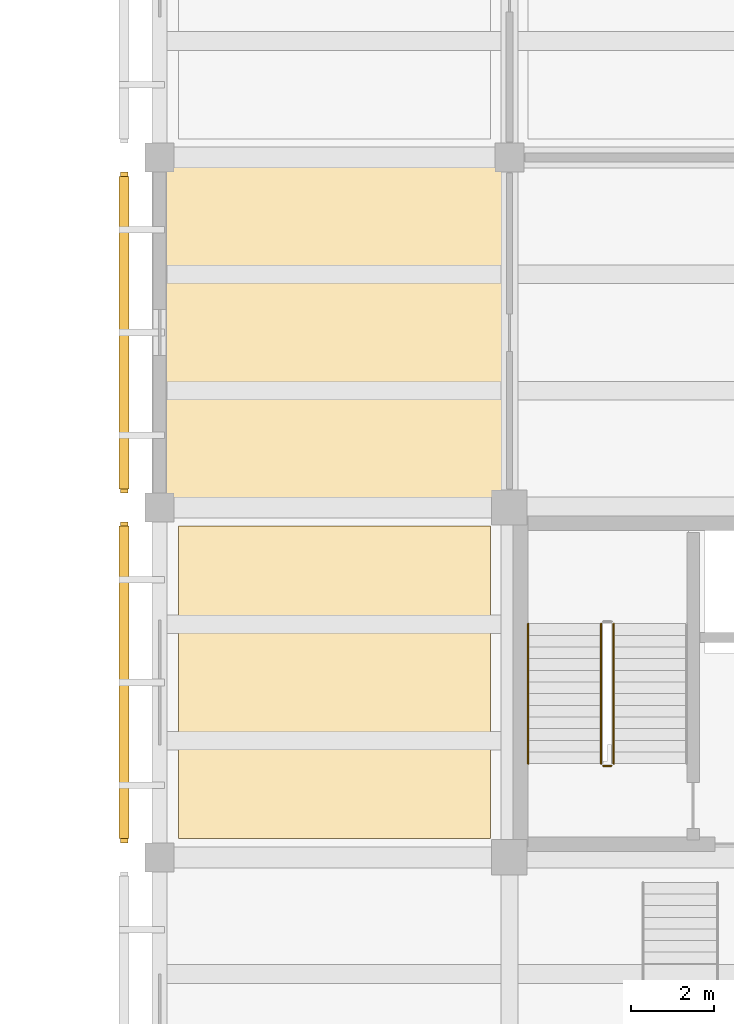
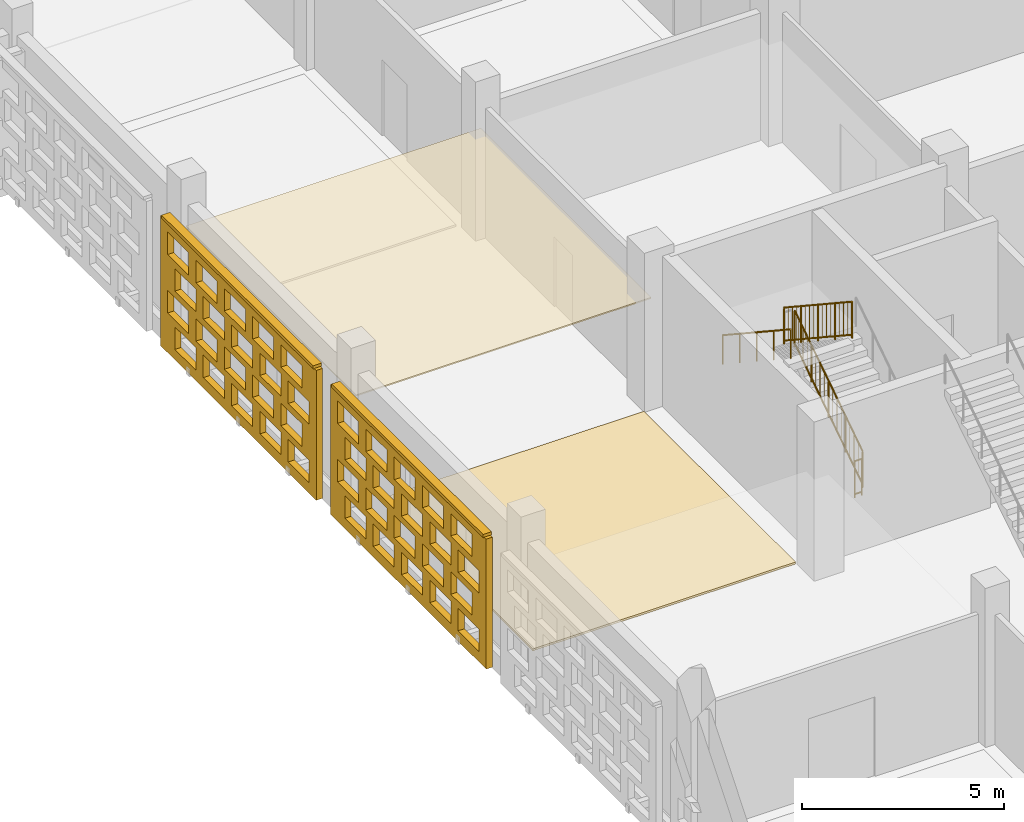
# One storey, part 82 of 129: 4 coverings, 4 railings, 2 shading devices, 40 openings.
"""IFC4 building model written with IfcOpenShell, lengths in metres."""

from ifc_helpers import new_model, si_unit, direction, frame, frame_2d, origin, origin_2d, place, context, subcontext, project, spatial, rectangle, circle, extrude, material, layer, layer_set, type_object, element, save


model = new_model("IFC4")

# Units and contexts
model_context = context("Model", 3, precision=1e-05, world=origin(), true_north=direction((0.0, 1.0)))
body_context = subcontext(model_context, "Body", "Model", "MODEL_VIEW")
ifc_project = project(units=[si_unit("LENGTHUNIT", "METRE"), si_unit("AREAUNIT", "SQUARE_METRE"), si_unit("VOLUMEUNIT", "CUBIC_METRE"), si_unit("PLANEANGLEUNIT", "RADIAN"), si_unit("MASSUNIT", "GRAM", prefix="KILO")], contexts=[model_context])

# Site, building, storey
site_placement = place(None, origin())
site = spatial("IfcSite", under=ifc_project, at=site_placement, CompositionType="ELEMENT")
building_placement = place(site_placement, origin())
building = spatial("IfcBuilding", under=site, at=building_placement, Name="Varnapada Polytechnic", CompositionType="ELEMENT")
storey_placement = place(building_placement, origin())
storey = spatial("IfcBuildingStorey", under=building, at=storey_placement, Name="L00", CompositionType="ELEMENT", Elevation=0.0)

# Covering
ifc_material_1 = material(Name="Anti-Static Raised Laboratory Flooring")
ifc_layer_1 = layer(ifc_material_1, 0.06005859375)
ifc_layer_set_1 = layer_set([ifc_layer_1], Name="Anti-Static Raised Laboratory Flooring")
covering_type_1 = type_object("IfcCoveringType", Name="Floor Finish FLR-02", PredefinedType="FLOORING", material=ifc_layer_set_1)
covering_1_placement = place(storey_placement, frame((12.60009765625, 21.0, 0.0), z_axis=(0.0, 0.0, 1.0), x_axis=(1.0, 0.0, 0.0)))
element("IfcCovering", 1, at=covering_1_placement, inside=storey, type_object=covering_type_1, Name="L00 floor finish panel (2,3)", PredefinedType="FLOORING", context=body_context, shape_type="SweptSolid", body=[
    extrude(rectangle(XDim=7.5, YDim=7.5, at=origin_2d()), origin(), (0.0, 0.0, 1.0), 0.06005859375),
])

# Railings
ifc_material_2 = material(Name="Brushed Stainless Steel 316", Category="steel")
railing_type_1 = type_object("IfcRailingType", Name="Stair Wall Handrail SHR-01", PredefinedType="HANDRAIL", material=ifc_material_2)
railing_1_placement = place(storey_placement, frame((17.25, 22.409912109375, 2.584716796875)))
element("IfcRailing", 2, at=railing_1_placement, inside=storey, type_object=railing_type_1, Name="L00 ST-3 stair handrail 2", PredefinedType="HANDRAIL", context=body_context, shape_type="SweptSolid", body=[
    extrude(circle(Radius=0.02392578125, at=origin_2d()), frame((0.0, 0.0, 0.8759765625), z_axis=(0.0, -0.834858096282, 0.550465220583), x_axis=(1.0, 0.0, 0.0)), (0.0, 0.0, 1.0), 4.0244140625),
    extrude(circle(Radius=0.02099609375, at=origin_2d()), origin(), (0.0, 0.0, 1.0), 0.851806640625),
    extrude(circle(Radius=0.02099609375, at=origin_2d()), frame((0.0, -0.83984375, 0.5537109375)), (0.0, 0.0, 1.0), 0.851806640625),
    extrude(circle(Radius=0.02099609375, at=origin_2d()), frame((0.0, -1.679931640625, 1.107666015625)), (0.0, 0.0, 1.0), 0.851806640625),
    extrude(circle(Radius=0.02099609375, at=origin_2d()), frame((0.0, -2.52001953125, 1.66162109375)), (0.0, 0.0, 1.0), 0.851806640625),
    extrude(circle(Radius=0.02099609375, at=origin_2d()), frame((0.0, -3.35986328125, 2.21533203125)), (0.0, 0.0, 1.0), 0.851806640625),
])
railing_type_2 = type_object("IfcRailingType", Name="Stair Well Guard Rail SGR-01", PredefinedType="BALUSTRADE", material=ifc_material_2)
railing_2_placement = place(storey_placement, frame((19.300048828125, 19.050048828125, 0.1845703125)))
element("IfcRailing", 3, at=railing_2_placement, inside=storey, type_object=railing_type_2, Name="L00 ST-3 stair guard 1", PredefinedType="BALUSTRADE", context=body_context, shape_type="SweptSolid", body=[
    extrude(circle(Radius=0.02392578125, at=origin_2d()), frame((0.0, 0.0, 1.09619140625), z_axis=(0.0, 0.834858096282, 0.550465220583), x_axis=(-1.0, 0.0, 0.0)), (0.0, 0.0, 1.0), 4.0244140625),
    extrude(circle(Radius=0.02392578125, at=origin_2d()), frame((0.0, 0.0, 0.10009765625), z_axis=(0.0, 0.834858096282, 0.550465220583), x_axis=(-1.0, 0.0, 0.0)), (0.0, 0.0, 1.0), 4.0244140625),
    extrude(circle(Radius=0.02099609375, at=origin_2d()), origin(), (0.0, 0.0, 1.0), 1.072021484375),
    extrude(circle(Radius=0.02099609375, at=origin_2d()), frame((0.0, 0.83984375, 0.5537109375)), (0.0, 0.0, 1.0), 1.072021484375),
    extrude(circle(Radius=0.02099609375, at=origin_2d()), frame((0.0, 1.679931640625, 1.107666015625)), (0.0, 0.0, 1.0), 1.072021484375),
    extrude(circle(Radius=0.02099609375, at=origin_2d()), frame((0.0, 2.52001953125, 1.66162109375)), (0.0, 0.0, 1.0), 1.072021484375),
    extrude(circle(Radius=0.02099609375, at=origin_2d()), frame((0.0, 3.35986328125, 2.21533203125)), (0.0, 0.0, 1.0), 1.072021484375),
    extrude(circle(Radius=0.010009765625, at=origin_2d()), frame((0.0, 0.2099609375, 0.238525390625)), (0.0, 0.0, 1.0), 0.971923828125),
    extrude(circle(Radius=0.010009765625, at=origin_2d()), frame((0.0, 0.419921875, 0.376953125)), (0.0, 0.0, 1.0), 0.971923828125),
    extrude(circle(Radius=0.010009765625, at=origin_2d()), frame((0.0, 0.6298828125, 0.515380859375)), (0.0, 0.0, 1.0), 0.971923828125),
    extrude(circle(Radius=0.010009765625, at=origin_2d()), frame((0.0, 0.83984375, 0.65380859375)), (0.0, 0.0, 1.0), 0.971923828125),
    extrude(circle(Radius=0.010009765625, at=origin_2d()), frame((0.0, 1.050048828125, 0.79248046875)), (0.0, 0.0, 1.0), 0.971923828125),
    extrude(circle(Radius=0.010009765625, at=origin_2d()), frame((0.0, 1.260009765625, 0.930908203125)), (0.0, 0.0, 1.0), 0.971923828125),
    extrude(circle(Radius=0.010009765625, at=origin_2d()), frame((0.0, 1.469970703125, 1.0693359375)), (0.0, 0.0, 1.0), 0.971923828125),
    extrude(circle(Radius=0.010009765625, at=origin_2d()), frame((0.0, 1.679931640625, 1.207763671875)), (0.0, 0.0, 1.0), 0.971923828125),
    extrude(circle(Radius=0.010009765625, at=origin_2d()), frame((0.0, 1.889892578125, 1.34619140625)), (0.0, 0.0, 1.0), 0.971923828125),
    extrude(circle(Radius=0.010009765625, at=origin_2d()), frame((0.0, 2.099853515625, 1.484619140625)), (0.0, 0.0, 1.0), 0.971923828125),
    extrude(circle(Radius=0.010009765625, at=origin_2d()), frame((0.0, 2.309814453125, 1.623046875)), (0.0, 0.0, 1.0), 0.971923828125),
    extrude(circle(Radius=0.010009765625, at=origin_2d()), frame((0.0, 2.52001953125, 1.76171875)), (0.0, 0.0, 1.0), 0.971923828125),
    extrude(circle(Radius=0.010009765625, at=origin_2d()), frame((0.0, 2.72998046875, 1.900146484375)), (0.0, 0.0, 1.0), 0.971923828125),
    extrude(circle(Radius=0.010009765625, at=origin_2d()), frame((0.0, 2.93994140625, 2.03857421875)), (0.0, 0.0, 1.0), 0.971923828125),
    extrude(circle(Radius=0.010009765625, at=origin_2d()), frame((0.0, 3.14990234375, 2.177001953125)), (0.0, 0.0, 1.0), 0.971923828125),
])
railing_3_placement = place(storey_placement, frame((19.0, 22.409912109375, 2.584716796875)))
element("IfcRailing", 4, at=railing_3_placement, inside=storey, type_object=railing_type_2, Name="L00 ST-3 stair guard 3", PredefinedType="BALUSTRADE", context=body_context, shape_type="SweptSolid", body=[
    extrude(circle(Radius=0.02392578125, at=origin_2d()), frame((0.0, 0.0, 1.09619140625), z_axis=(0.0, -0.834858096282, 0.550465220583), x_axis=(1.0, 0.0, 0.0)), (0.0, 0.0, 1.0), 4.0244140625),
    extrude(circle(Radius=0.02392578125, at=origin_2d()), frame((0.0, 0.0, 0.10009765625), z_axis=(0.0, -0.834858096282, 0.550465220583), x_axis=(1.0, 0.0, 0.0)), (0.0, 0.0, 1.0), 4.0244140625),
    extrude(circle(Radius=0.02099609375, at=origin_2d()), origin(), (0.0, 0.0, 1.0), 1.072021484375),
    extrude(circle(Radius=0.02099609375, at=origin_2d()), frame((0.0, -0.83984375, 0.5537109375)), (0.0, 0.0, 1.0), 1.072021484375),
    extrude(circle(Radius=0.02099609375, at=origin_2d()), frame((0.0, -1.679931640625, 1.107666015625)), (0.0, 0.0, 1.0), 1.072021484375),
    extrude(circle(Radius=0.02099609375, at=origin_2d()), frame((0.0, -2.52001953125, 1.66162109375)), (0.0, 0.0, 1.0), 1.072021484375),
    extrude(circle(Radius=0.02099609375, at=origin_2d()), frame((0.0, -3.35986328125, 2.21533203125)), (0.0, 0.0, 1.0), 1.072021484375),
    extrude(circle(Radius=0.010009765625, at=origin_2d()), frame((0.0, -0.2099609375, 0.238525390625)), (0.0, 0.0, 1.0), 0.971923828125),
    extrude(circle(Radius=0.010009765625, at=origin_2d()), frame((0.0, -0.419921875, 0.376953125)), (0.0, 0.0, 1.0), 0.971923828125),
    extrude(circle(Radius=0.010009765625, at=origin_2d()), frame((0.0, -0.6298828125, 0.515380859375)), (0.0, 0.0, 1.0), 0.971923828125),
    extrude(circle(Radius=0.010009765625, at=origin_2d()), frame((0.0, -0.83984375, 0.65380859375)), (0.0, 0.0, 1.0), 0.971923828125),
    extrude(circle(Radius=0.010009765625, at=origin_2d()), frame((0.0, -1.050048828125, 0.79248046875)), (0.0, 0.0, 1.0), 0.971923828125),
    extrude(circle(Radius=0.010009765625, at=origin_2d()), frame((0.0, -1.260009765625, 0.930908203125)), (0.0, 0.0, 1.0), 0.971923828125),
    extrude(circle(Radius=0.010009765625, at=origin_2d()), frame((0.0, -1.469970703125, 1.0693359375)), (0.0, 0.0, 1.0), 0.971923828125),
    extrude(circle(Radius=0.010009765625, at=origin_2d()), frame((0.0, -1.679931640625, 1.207763671875)), (0.0, 0.0, 1.0), 0.971923828125),
    extrude(circle(Radius=0.010009765625, at=origin_2d()), frame((0.0, -1.889892578125, 1.34619140625)), (0.0, 0.0, 1.0), 0.971923828125),
    extrude(circle(Radius=0.010009765625, at=origin_2d()), frame((0.0, -2.099853515625, 1.484619140625)), (0.0, 0.0, 1.0), 0.971923828125),
    extrude(circle(Radius=0.010009765625, at=origin_2d()), frame((0.0, -2.309814453125, 1.623046875)), (0.0, 0.0, 1.0), 0.971923828125),
    extrude(circle(Radius=0.010009765625, at=origin_2d()), frame((0.0, -2.52001953125, 1.76171875)), (0.0, 0.0, 1.0), 0.971923828125),
    extrude(circle(Radius=0.010009765625, at=origin_2d()), frame((0.0, -2.72998046875, 1.900146484375)), (0.0, 0.0, 1.0), 0.971923828125),
    extrude(circle(Radius=0.010009765625, at=origin_2d()), frame((0.0, -2.93994140625, 2.03857421875)), (0.0, 0.0, 1.0), 0.971923828125),
    extrude(circle(Radius=0.010009765625, at=origin_2d()), frame((0.0, -3.14990234375, 2.177001953125)), (0.0, 0.0, 1.0), 0.971923828125),
])
railing_4_placement = place(storey_placement, frame((19.25, 19.0, 0.0)))
element("IfcRailing", 5, at=railing_4_placement, inside=storey, type_object=railing_type_2, Name="L00 ST-3 stair guard 4", PredefinedType="BALUSTRADE", context=body_context, shape_type="SweptSolid", body=[
    extrude(circle(Radius=0.02392578125, at=origin_2d()), frame((0.0, 0.0, 1.09619140625), z_axis=(-1.0, 0.0, 0.0), x_axis=(0.0, -1.0, 0.0)), (0.0, 0.0, 1.0), 0.199951171875),
    extrude(circle(Radius=0.02392578125, at=origin_2d()), frame((0.0, 0.0, 0.10009765625), z_axis=(-1.0, 0.0, 0.0), x_axis=(0.0, -1.0, 0.0)), (0.0, 0.0, 1.0), 0.199951171875),
    extrude(circle(Radius=0.02099609375, at=origin_2d()), origin(), (0.0, 0.0, 1.0), 1.072021484375),
    extrude(circle(Radius=0.02099609375, at=origin_2d()), frame((-0.199951171875, 0.0, 0.0)), (0.0, 0.0, 1.0), 1.072021484375),
])

# Covering
ifc_material_3 = material(Name="Mineral Fibre Acoustic Ceiling Tile")
ifc_layer_2 = layer(ifc_material_3, 0.0400390625)
ifc_layer_set_2 = layer_set([ifc_layer_2], Name="Mineral Fibre Acoustic Ceiling Tile")
covering_type_2 = type_object("IfcCoveringType", Name="Suspended Ceiling CLG-01", PredefinedType="CEILING", material=ifc_layer_set_2)
covering_2_placement = place(storey_placement, frame((12.60009765625, 29.39990234375, 3.030029296875), z_axis=(0.0, 0.0, 1.0), x_axis=(1.0, 0.0, 0.0)))
element("IfcCovering", 6, at=covering_2_placement, inside=storey, type_object=covering_type_2, Name="L00 suspended acoustic ceiling (2,4)", PredefinedType="CEILING", context=body_context, shape_type="SweptSolid", body=[
    extrude(rectangle(XDim=8.419921875, YDim=8.419921875, at=origin_2d()), origin(), (0.0, 0.0, 1.0), 0.0400390625),
])

# Covering, openings
ifc_material_4 = material(Name="Earth-toned architectural terracotta screen block", Category="masonry")
ifc_layer_3 = layer(ifc_material_4, 0.1201171875)
ifc_layer_set_3 = layer_set([ifc_layer_3], Name="Earth-toned architectural terracotta screen block")
covering_type_3 = type_object("IfcCoveringType", Name="Terracotta Screen Cladding CLD-01", PredefinedType="CLADDING", material=ifc_layer_set_3)
covering_3_placement = place(storey_placement, frame((7.550048828125, 17.14990234375, 0.0), z_axis=(0.0, 0.0, 1.0), x_axis=(0.0, 1.0, 0.0)))
covering_3 = element("IfcCovering", 7, at=covering_3_placement, inside=storey, type_object=covering_type_3, Name="L00 perforated terracotta block screen (16)", PredefinedType="CLADDING", context=body_context, shape_type="SweptSolid", body=[
    extrude(rectangle(XDim=7.7001953125, YDim=0.179931640625, at=frame_2d((3.85009765625, 0.0))), origin(), (0.0, 0.0, 1.0), 3.919921875),
])
opening_1_placement = place(covering_3_placement, frame((0.35009765625, 0.0, 0.313720703125)))
element("IfcOpeningElement", 8, at=opening_1_placement, cuts=covering_3, Name="Screen perforation TBS-L00-015.1", PredefinedType="OPENING", context=body_context, shape_type="SweptSolid", body=[
    extrude(rectangle(XDim=1.0400390625, YDim=0.679931640625, at=frame_2d((0.52001953125, 0.33984375))), frame((0.0, 0.099853515625, 0.0), z_axis=(0.0, -1.0, 0.0), x_axis=(1.0, 0.0, 0.0)), (0.0, 0.0, 1.0), 0.199951171875),
])
opening_2_placement = place(covering_3_placement, frame((1.75, 0.0, 0.313720703125)))
element("IfcOpeningElement", 9, at=opening_2_placement, cuts=covering_3, Name="Screen perforation TBS-L00-015.2", PredefinedType="OPENING", context=body_context, shape_type="SweptSolid", body=[
    extrude(rectangle(XDim=1.0400390625, YDim=0.679931640625, at=frame_2d((0.52001953125, 0.33984375))), frame((0.0, 0.099853515625, 0.0), z_axis=(0.0, -1.0, 0.0), x_axis=(1.0, 0.0, 0.0)), (0.0, 0.0, 1.0), 0.199951171875),
])
opening_3_placement = place(covering_3_placement, frame((3.14990234375, 0.0, 0.313720703125)))
element("IfcOpeningElement", 10, at=opening_3_placement, cuts=covering_3, Name="Screen perforation TBS-L00-015.3", PredefinedType="OPENING", context=body_context, shape_type="SweptSolid", body=[
    extrude(rectangle(XDim=1.0400390625, YDim=0.679931640625, at=frame_2d((0.52001953125, 0.33984375))), frame((0.0, 0.099853515625, 0.0), z_axis=(0.0, -1.0, 0.0), x_axis=(1.0, 0.0, 0.0)), (0.0, 0.0, 1.0), 0.199951171875),
])
opening_4_placement = place(covering_3_placement, frame((4.550048828125, 0.0, 0.313720703125)))
element("IfcOpeningElement", 11, at=opening_4_placement, cuts=covering_3, Name="Screen perforation TBS-L00-015.4", PredefinedType="OPENING", context=body_context, shape_type="SweptSolid", body=[
    extrude(rectangle(XDim=1.0400390625, YDim=0.679931640625, at=frame_2d((0.52001953125, 0.33984375))), frame((0.0, 0.099853515625, 0.0), z_axis=(0.0, -1.0, 0.0), x_axis=(1.0, 0.0, 0.0)), (0.0, 0.0, 1.0), 0.199951171875),
])
opening_5_placement = place(covering_3_placement, frame((5.949951171875, 0.0, 0.313720703125)))
element("IfcOpeningElement", 12, at=opening_5_placement, cuts=covering_3, Name="Screen perforation TBS-L00-015.5", PredefinedType="OPENING", context=body_context, shape_type="SweptSolid", body=[
    extrude(rectangle(XDim=1.0400390625, YDim=0.679931640625, at=frame_2d((0.52001953125, 0.33984375))), frame((0.0, 0.099853515625, 0.0), z_axis=(0.0, -1.0, 0.0), x_axis=(1.0, 0.0, 0.0)), (0.0, 0.0, 1.0), 0.199951171875),
])
opening_6_placement = place(covering_3_placement, frame((0.7099609375, 0.0, 1.195556640625)))
element("IfcOpeningElement", 13, at=opening_6_placement, cuts=covering_3, Name="Screen perforation TBS-L00-015.6", PredefinedType="OPENING", context=body_context, shape_type="SweptSolid", body=[
    extrude(rectangle(XDim=1.0400390625, YDim=0.679931640625, at=frame_2d((0.52001953125, 0.33984375))), frame((0.0, 0.099853515625, 0.0), z_axis=(0.0, -1.0, 0.0), x_axis=(1.0, 0.0, 0.0)), (0.0, 0.0, 1.0), 0.199951171875),
])
opening_7_placement = place(covering_3_placement, frame((2.110107421875, 0.0, 1.195556640625)))
element("IfcOpeningElement", 14, at=opening_7_placement, cuts=covering_3, Name="Screen perforation TBS-L00-015.7", PredefinedType="OPENING", context=body_context, shape_type="SweptSolid", body=[
    extrude(rectangle(XDim=1.0400390625, YDim=0.679931640625, at=frame_2d((0.52001953125, 0.33984375))), frame((0.0, 0.099853515625, 0.0), z_axis=(0.0, -1.0, 0.0), x_axis=(1.0, 0.0, 0.0)), (0.0, 0.0, 1.0), 0.199951171875),
])
opening_8_placement = place(covering_3_placement, frame((3.510009765625, 0.0, 1.195556640625)))
element("IfcOpeningElement", 15, at=opening_8_placement, cuts=covering_3, Name="Screen perforation TBS-L00-015.8", PredefinedType="OPENING", context=body_context, shape_type="SweptSolid", body=[
    extrude(rectangle(XDim=1.0400390625, YDim=0.679931640625, at=frame_2d((0.52001953125, 0.33984375))), frame((0.0, 0.099853515625, 0.0), z_axis=(0.0, -1.0, 0.0), x_axis=(1.0, 0.0, 0.0)), (0.0, 0.0, 1.0), 0.199951171875),
])
opening_9_placement = place(covering_3_placement, frame((4.909912109375, 0.0, 1.195556640625)))
element("IfcOpeningElement", 16, at=opening_9_placement, cuts=covering_3, Name="Screen perforation TBS-L00-015.9", PredefinedType="OPENING", context=body_context, shape_type="SweptSolid", body=[
    extrude(rectangle(XDim=1.0400390625, YDim=0.679931640625, at=frame_2d((0.52001953125, 0.33984375))), frame((0.0, 0.099853515625, 0.0), z_axis=(0.0, -1.0, 0.0), x_axis=(1.0, 0.0, 0.0)), (0.0, 0.0, 1.0), 0.199951171875),
])
opening_10_placement = place(covering_3_placement, frame((6.31005859375, 0.0, 1.195556640625)))
element("IfcOpeningElement", 17, at=opening_10_placement, cuts=covering_3, Name="Screen perforation TBS-L00-015.10", PredefinedType="OPENING", context=body_context, shape_type="SweptSolid", body=[
    extrude(rectangle(XDim=1.0400390625, YDim=0.679931640625, at=frame_2d((0.52001953125, 0.33984375))), frame((0.0, 0.099853515625, 0.0), z_axis=(0.0, -1.0, 0.0), x_axis=(1.0, 0.0, 0.0)), (0.0, 0.0, 1.0), 0.199951171875),
])
opening_11_placement = place(covering_3_placement, frame((0.35009765625, 0.0, 2.07763671875)))
element("IfcOpeningElement", 18, at=opening_11_placement, cuts=covering_3, Name="Screen perforation TBS-L00-015.11", PredefinedType="OPENING", context=body_context, shape_type="SweptSolid", body=[
    extrude(rectangle(XDim=1.0400390625, YDim=0.679931640625, at=frame_2d((0.52001953125, 0.33984375))), frame((0.0, 0.099853515625, 0.0), z_axis=(0.0, -1.0, 0.0), x_axis=(1.0, 0.0, 0.0)), (0.0, 0.0, 1.0), 0.199951171875),
])
opening_12_placement = place(covering_3_placement, frame((1.75, 0.0, 2.07763671875)))
element("IfcOpeningElement", 19, at=opening_12_placement, cuts=covering_3, Name="Screen perforation TBS-L00-015.12", PredefinedType="OPENING", context=body_context, shape_type="SweptSolid", body=[
    extrude(rectangle(XDim=1.0400390625, YDim=0.679931640625, at=frame_2d((0.52001953125, 0.33984375))), frame((0.0, 0.099853515625, 0.0), z_axis=(0.0, -1.0, 0.0), x_axis=(1.0, 0.0, 0.0)), (0.0, 0.0, 1.0), 0.199951171875),
])
opening_13_placement = place(covering_3_placement, frame((3.14990234375, 0.0, 2.07763671875)))
element("IfcOpeningElement", 20, at=opening_13_placement, cuts=covering_3, Name="Screen perforation TBS-L00-015.13", PredefinedType="OPENING", context=body_context, shape_type="SweptSolid", body=[
    extrude(rectangle(XDim=1.0400390625, YDim=0.679931640625, at=frame_2d((0.52001953125, 0.33984375))), frame((0.0, 0.099853515625, 0.0), z_axis=(0.0, -1.0, 0.0), x_axis=(1.0, 0.0, 0.0)), (0.0, 0.0, 1.0), 0.199951171875),
])
opening_14_placement = place(covering_3_placement, frame((4.550048828125, 0.0, 2.07763671875)))
element("IfcOpeningElement", 21, at=opening_14_placement, cuts=covering_3, Name="Screen perforation TBS-L00-015.14", PredefinedType="OPENING", context=body_context, shape_type="SweptSolid", body=[
    extrude(rectangle(XDim=1.0400390625, YDim=0.679931640625, at=frame_2d((0.52001953125, 0.33984375))), frame((0.0, 0.099853515625, 0.0), z_axis=(0.0, -1.0, 0.0), x_axis=(1.0, 0.0, 0.0)), (0.0, 0.0, 1.0), 0.199951171875),
])
opening_15_placement = place(covering_3_placement, frame((5.949951171875, 0.0, 2.07763671875)))
element("IfcOpeningElement", 22, at=opening_15_placement, cuts=covering_3, Name="Screen perforation TBS-L00-015.15", PredefinedType="OPENING", context=body_context, shape_type="SweptSolid", body=[
    extrude(rectangle(XDim=1.0400390625, YDim=0.679931640625, at=frame_2d((0.52001953125, 0.33984375))), frame((0.0, 0.099853515625, 0.0), z_axis=(0.0, -1.0, 0.0), x_axis=(1.0, 0.0, 0.0)), (0.0, 0.0, 1.0), 0.199951171875),
])
opening_16_placement = place(covering_3_placement, frame((0.7099609375, 0.0, 2.959716796875)))
element("IfcOpeningElement", 23, at=opening_16_placement, cuts=covering_3, Name="Screen perforation TBS-L00-015.16", PredefinedType="OPENING", context=body_context, shape_type="SweptSolid", body=[
    extrude(rectangle(XDim=1.0400390625, YDim=0.679931640625, at=frame_2d((0.52001953125, 0.33984375))), frame((0.0, 0.099853515625, 0.0), z_axis=(0.0, -1.0, 0.0), x_axis=(1.0, 0.0, 0.0)), (0.0, 0.0, 1.0), 0.199951171875),
])
opening_17_placement = place(covering_3_placement, frame((2.110107421875, 0.0, 2.959716796875)))
element("IfcOpeningElement", 24, at=opening_17_placement, cuts=covering_3, Name="Screen perforation TBS-L00-015.17", PredefinedType="OPENING", context=body_context, shape_type="SweptSolid", body=[
    extrude(rectangle(XDim=1.0400390625, YDim=0.679931640625, at=frame_2d((0.52001953125, 0.33984375))), frame((0.0, 0.099853515625, 0.0), z_axis=(0.0, -1.0, 0.0), x_axis=(1.0, 0.0, 0.0)), (0.0, 0.0, 1.0), 0.199951171875),
])
opening_18_placement = place(covering_3_placement, frame((3.510009765625, 0.0, 2.959716796875)))
element("IfcOpeningElement", 25, at=opening_18_placement, cuts=covering_3, Name="Screen perforation TBS-L00-015.18", PredefinedType="OPENING", context=body_context, shape_type="SweptSolid", body=[
    extrude(rectangle(XDim=1.0400390625, YDim=0.679931640625, at=frame_2d((0.52001953125, 0.33984375))), frame((0.0, 0.099853515625, 0.0), z_axis=(0.0, -1.0, 0.0), x_axis=(1.0, 0.0, 0.0)), (0.0, 0.0, 1.0), 0.199951171875),
])
opening_19_placement = place(covering_3_placement, frame((4.909912109375, 0.0, 2.959716796875)))
element("IfcOpeningElement", 26, at=opening_19_placement, cuts=covering_3, Name="Screen perforation TBS-L00-015.19", PredefinedType="OPENING", context=body_context, shape_type="SweptSolid", body=[
    extrude(rectangle(XDim=1.0400390625, YDim=0.679931640625, at=frame_2d((0.52001953125, 0.33984375))), frame((0.0, 0.099853515625, 0.0), z_axis=(0.0, -1.0, 0.0), x_axis=(1.0, 0.0, 0.0)), (0.0, 0.0, 1.0), 0.199951171875),
])
opening_20_placement = place(covering_3_placement, frame((6.31005859375, 0.0, 2.959716796875)))
element("IfcOpeningElement", 27, at=opening_20_placement, cuts=covering_3, Name="Screen perforation TBS-L00-015.20", PredefinedType="OPENING", context=body_context, shape_type="SweptSolid", body=[
    extrude(rectangle(XDim=1.0400390625, YDim=0.679931640625, at=frame_2d((0.52001953125, 0.33984375))), frame((0.0, 0.099853515625, 0.0), z_axis=(0.0, -1.0, 0.0), x_axis=(1.0, 0.0, 0.0)), (0.0, 0.0, 1.0), 0.199951171875),
])

covering_4_placement = place(storey_placement, frame((7.550048828125, 25.550048828125, 0.0), z_axis=(0.0, 0.0, 1.0), x_axis=(0.0, 1.0, 0.0)))
covering_4 = element("IfcCovering", 28, at=covering_4_placement, inside=storey, type_object=covering_type_3, Name="L00 perforated terracotta block screen (17)", PredefinedType="CLADDING", context=body_context, shape_type="SweptSolid", body=[
    extrude(rectangle(XDim=7.699951171875, YDim=0.179931640625, at=frame_2d((3.85009765625, 0.0))), origin(), (0.0, 0.0, 1.0), 3.919921875),
])
opening_21_placement = place(covering_4_placement, frame((0.35009765625, 0.0, 0.313720703125)))
element("IfcOpeningElement", 29, at=opening_21_placement, cuts=covering_4, Name="Screen perforation TBS-L00-016.1", PredefinedType="OPENING", context=body_context, shape_type="SweptSolid", body=[
    extrude(rectangle(XDim=1.0400390625, YDim=0.679931640625, at=frame_2d((0.52001953125, 0.33984375))), frame((0.0, 0.099853515625, 0.0), z_axis=(0.0, -1.0, 0.0), x_axis=(1.0, 0.0, 0.0)), (0.0, 0.0, 1.0), 0.199951171875),
])
opening_22_placement = place(covering_4_placement, frame((1.75, 0.0, 0.313720703125)))
element("IfcOpeningElement", 30, at=opening_22_placement, cuts=covering_4, Name="Screen perforation TBS-L00-016.2", PredefinedType="OPENING", context=body_context, shape_type="SweptSolid", body=[
    extrude(rectangle(XDim=1.0400390625, YDim=0.679931640625, at=frame_2d((0.52001953125, 0.33984375))), frame((0.0, 0.099853515625, 0.0), z_axis=(0.0, -1.0, 0.0), x_axis=(1.0, 0.0, 0.0)), (0.0, 0.0, 1.0), 0.199951171875),
])
opening_23_placement = place(covering_4_placement, frame((3.14990234375, 0.0, 0.313720703125)))
element("IfcOpeningElement", 31, at=opening_23_placement, cuts=covering_4, Name="Screen perforation TBS-L00-016.3", PredefinedType="OPENING", context=body_context, shape_type="SweptSolid", body=[
    extrude(rectangle(XDim=1.0400390625, YDim=0.679931640625, at=frame_2d((0.52001953125, 0.33984375))), frame((0.0, 0.099853515625, 0.0), z_axis=(0.0, -1.0, 0.0), x_axis=(1.0, 0.0, 0.0)), (0.0, 0.0, 1.0), 0.199951171875),
])
opening_24_placement = place(covering_4_placement, frame((4.550048828125, 0.0, 0.313720703125)))
element("IfcOpeningElement", 32, at=opening_24_placement, cuts=covering_4, Name="Screen perforation TBS-L00-016.4", PredefinedType="OPENING", context=body_context, shape_type="SweptSolid", body=[
    extrude(rectangle(XDim=1.0400390625, YDim=0.679931640625, at=frame_2d((0.52001953125, 0.33984375))), frame((0.0, 0.099853515625, 0.0), z_axis=(0.0, -1.0, 0.0), x_axis=(1.0, 0.0, 0.0)), (0.0, 0.0, 1.0), 0.199951171875),
])
opening_25_placement = place(covering_4_placement, frame((5.949951171875, 0.0, 0.313720703125)))
element("IfcOpeningElement", 33, at=opening_25_placement, cuts=covering_4, Name="Screen perforation TBS-L00-016.5", PredefinedType="OPENING", context=body_context, shape_type="SweptSolid", body=[
    extrude(rectangle(XDim=1.0400390625, YDim=0.679931640625, at=frame_2d((0.52001953125, 0.33984375))), frame((0.0, 0.099853515625, 0.0), z_axis=(0.0, -1.0, 0.0), x_axis=(1.0, 0.0, 0.0)), (0.0, 0.0, 1.0), 0.199951171875),
])
opening_26_placement = place(covering_4_placement, frame((0.7099609375, 0.0, 1.195556640625)))
element("IfcOpeningElement", 34, at=opening_26_placement, cuts=covering_4, Name="Screen perforation TBS-L00-016.6", PredefinedType="OPENING", context=body_context, shape_type="SweptSolid", body=[
    extrude(rectangle(XDim=1.0400390625, YDim=0.679931640625, at=frame_2d((0.52001953125, 0.33984375))), frame((0.0, 0.099853515625, 0.0), z_axis=(0.0, -1.0, 0.0), x_axis=(1.0, 0.0, 0.0)), (0.0, 0.0, 1.0), 0.199951171875),
])
opening_27_placement = place(covering_4_placement, frame((2.110107421875, 0.0, 1.195556640625)))
element("IfcOpeningElement", 35, at=opening_27_placement, cuts=covering_4, Name="Screen perforation TBS-L00-016.7", PredefinedType="OPENING", context=body_context, shape_type="SweptSolid", body=[
    extrude(rectangle(XDim=1.0400390625, YDim=0.679931640625, at=frame_2d((0.52001953125, 0.33984375))), frame((0.0, 0.099853515625, 0.0), z_axis=(0.0, -1.0, 0.0), x_axis=(1.0, 0.0, 0.0)), (0.0, 0.0, 1.0), 0.199951171875),
])
opening_28_placement = place(covering_4_placement, frame((3.510009765625, 0.0, 1.195556640625)))
element("IfcOpeningElement", 36, at=opening_28_placement, cuts=covering_4, Name="Screen perforation TBS-L00-016.8", PredefinedType="OPENING", context=body_context, shape_type="SweptSolid", body=[
    extrude(rectangle(XDim=1.0400390625, YDim=0.679931640625, at=frame_2d((0.52001953125, 0.33984375))), frame((0.0, 0.099853515625, 0.0), z_axis=(0.0, -1.0, 0.0), x_axis=(1.0, 0.0, 0.0)), (0.0, 0.0, 1.0), 0.199951171875),
])
opening_29_placement = place(covering_4_placement, frame((4.909912109375, 0.0, 1.195556640625)))
element("IfcOpeningElement", 37, at=opening_29_placement, cuts=covering_4, Name="Screen perforation TBS-L00-016.9", PredefinedType="OPENING", context=body_context, shape_type="SweptSolid", body=[
    extrude(rectangle(XDim=1.0400390625, YDim=0.679931640625, at=frame_2d((0.52001953125, 0.33984375))), frame((0.0, 0.099853515625, 0.0), z_axis=(0.0, -1.0, 0.0), x_axis=(1.0, 0.0, 0.0)), (0.0, 0.0, 1.0), 0.199951171875),
])
opening_30_placement = place(covering_4_placement, frame((6.31005859375, 0.0, 1.195556640625)))
element("IfcOpeningElement", 38, at=opening_30_placement, cuts=covering_4, Name="Screen perforation TBS-L00-016.10", PredefinedType="OPENING", context=body_context, shape_type="SweptSolid", body=[
    extrude(rectangle(XDim=1.0400390625, YDim=0.679931640625, at=frame_2d((0.52001953125, 0.33984375))), frame((0.0, 0.099853515625, 0.0), z_axis=(0.0, -1.0, 0.0), x_axis=(1.0, 0.0, 0.0)), (0.0, 0.0, 1.0), 0.199951171875),
])
opening_31_placement = place(covering_4_placement, frame((0.35009765625, 0.0, 2.07763671875)))
element("IfcOpeningElement", 39, at=opening_31_placement, cuts=covering_4, Name="Screen perforation TBS-L00-016.11", PredefinedType="OPENING", context=body_context, shape_type="SweptSolid", body=[
    extrude(rectangle(XDim=1.0400390625, YDim=0.679931640625, at=frame_2d((0.52001953125, 0.33984375))), frame((0.0, 0.099853515625, 0.0), z_axis=(0.0, -1.0, 0.0), x_axis=(1.0, 0.0, 0.0)), (0.0, 0.0, 1.0), 0.199951171875),
])
opening_32_placement = place(covering_4_placement, frame((1.75, 0.0, 2.07763671875)))
element("IfcOpeningElement", 40, at=opening_32_placement, cuts=covering_4, Name="Screen perforation TBS-L00-016.12", PredefinedType="OPENING", context=body_context, shape_type="SweptSolid", body=[
    extrude(rectangle(XDim=1.0400390625, YDim=0.679931640625, at=frame_2d((0.52001953125, 0.33984375))), frame((0.0, 0.099853515625, 0.0), z_axis=(0.0, -1.0, 0.0), x_axis=(1.0, 0.0, 0.0)), (0.0, 0.0, 1.0), 0.199951171875),
])
opening_33_placement = place(covering_4_placement, frame((3.14990234375, 0.0, 2.07763671875)))
element("IfcOpeningElement", 41, at=opening_33_placement, cuts=covering_4, Name="Screen perforation TBS-L00-016.13", PredefinedType="OPENING", context=body_context, shape_type="SweptSolid", body=[
    extrude(rectangle(XDim=1.0400390625, YDim=0.679931640625, at=frame_2d((0.52001953125, 0.33984375))), frame((0.0, 0.099853515625, 0.0), z_axis=(0.0, -1.0, 0.0), x_axis=(1.0, 0.0, 0.0)), (0.0, 0.0, 1.0), 0.199951171875),
])
opening_34_placement = place(covering_4_placement, frame((4.550048828125, 0.0, 2.07763671875)))
element("IfcOpeningElement", 42, at=opening_34_placement, cuts=covering_4, Name="Screen perforation TBS-L00-016.14", PredefinedType="OPENING", context=body_context, shape_type="SweptSolid", body=[
    extrude(rectangle(XDim=1.0400390625, YDim=0.679931640625, at=frame_2d((0.52001953125, 0.33984375))), frame((0.0, 0.099853515625, 0.0), z_axis=(0.0, -1.0, 0.0), x_axis=(1.0, 0.0, 0.0)), (0.0, 0.0, 1.0), 0.199951171875),
])
opening_35_placement = place(covering_4_placement, frame((5.949951171875, 0.0, 2.07763671875)))
element("IfcOpeningElement", 43, at=opening_35_placement, cuts=covering_4, Name="Screen perforation TBS-L00-016.15", PredefinedType="OPENING", context=body_context, shape_type="SweptSolid", body=[
    extrude(rectangle(XDim=1.0400390625, YDim=0.679931640625, at=frame_2d((0.52001953125, 0.33984375))), frame((0.0, 0.099853515625, 0.0), z_axis=(0.0, -1.0, 0.0), x_axis=(1.0, 0.0, 0.0)), (0.0, 0.0, 1.0), 0.199951171875),
])
opening_36_placement = place(covering_4_placement, frame((0.7099609375, 0.0, 2.959716796875)))
element("IfcOpeningElement", 44, at=opening_36_placement, cuts=covering_4, Name="Screen perforation TBS-L00-016.16", PredefinedType="OPENING", context=body_context, shape_type="SweptSolid", body=[
    extrude(rectangle(XDim=1.0400390625, YDim=0.679931640625, at=frame_2d((0.52001953125, 0.33984375))), frame((0.0, 0.099853515625, 0.0), z_axis=(0.0, -1.0, 0.0), x_axis=(1.0, 0.0, 0.0)), (0.0, 0.0, 1.0), 0.199951171875),
])
opening_37_placement = place(covering_4_placement, frame((2.110107421875, 0.0, 2.959716796875)))
element("IfcOpeningElement", 45, at=opening_37_placement, cuts=covering_4, Name="Screen perforation TBS-L00-016.17", PredefinedType="OPENING", context=body_context, shape_type="SweptSolid", body=[
    extrude(rectangle(XDim=1.0400390625, YDim=0.679931640625, at=frame_2d((0.52001953125, 0.33984375))), frame((0.0, 0.099853515625, 0.0), z_axis=(0.0, -1.0, 0.0), x_axis=(1.0, 0.0, 0.0)), (0.0, 0.0, 1.0), 0.199951171875),
])
opening_38_placement = place(covering_4_placement, frame((3.510009765625, 0.0, 2.959716796875)))
element("IfcOpeningElement", 46, at=opening_38_placement, cuts=covering_4, Name="Screen perforation TBS-L00-016.18", PredefinedType="OPENING", context=body_context, shape_type="SweptSolid", body=[
    extrude(rectangle(XDim=1.0400390625, YDim=0.679931640625, at=frame_2d((0.52001953125, 0.33984375))), frame((0.0, 0.099853515625, 0.0), z_axis=(0.0, -1.0, 0.0), x_axis=(1.0, 0.0, 0.0)), (0.0, 0.0, 1.0), 0.199951171875),
])
opening_39_placement = place(covering_4_placement, frame((4.909912109375, 0.0, 2.959716796875)))
element("IfcOpeningElement", 47, at=opening_39_placement, cuts=covering_4, Name="Screen perforation TBS-L00-016.19", PredefinedType="OPENING", context=body_context, shape_type="SweptSolid", body=[
    extrude(rectangle(XDim=1.0400390625, YDim=0.679931640625, at=frame_2d((0.52001953125, 0.33984375))), frame((0.0, 0.099853515625, 0.0), z_axis=(0.0, -1.0, 0.0), x_axis=(1.0, 0.0, 0.0)), (0.0, 0.0, 1.0), 0.199951171875),
])
opening_40_placement = place(covering_4_placement, frame((6.31005859375, 0.0, 2.959716796875)))
element("IfcOpeningElement", 48, at=opening_40_placement, cuts=covering_4, Name="Screen perforation TBS-L00-016.20", PredefinedType="OPENING", context=body_context, shape_type="SweptSolid", body=[
    extrude(rectangle(XDim=1.0400390625, YDim=0.679931640625, at=frame_2d((0.52001953125, 0.33984375))), frame((0.0, 0.099853515625, 0.0), z_axis=(0.0, -1.0, 0.0), x_axis=(1.0, 0.0, 0.0)), (0.0, 0.0, 1.0), 0.199951171875),
])

# Shading devices
ifc_layer_4 = layer(ifc_material_4, 0.179931640625)
ifc_layer_set_4 = layer_set([ifc_layer_4], Name="Earth-toned architectural terracotta screen block")
shading_device_type = type_object("IfcShadingDeviceType", Name="Terracotta Screen SCR-02", PredefinedType="USERDEFINED", material=ifc_layer_set_4)
for number, where, z_axis, x_axis, name in (
    (49, (7.550048828125, 21.0, 3.909912109375), (0.0, 0.0, 1.0), (0.0, 1.0, 0.0), "L00 perforated terracotta screen hood 12"),
    (50, (7.550048828125, 29.39990234375, 3.909912109375), (0.0, 0.0, 1.0), (0.0, 1.0, 0.0), "L00 perforated terracotta screen hood 13"),
):
    element("IfcShadingDevice", number, at=place(storey_placement, frame(where, z_axis=z_axis, x_axis=x_axis)), inside=storey, type_object=shading_device_type, Name=name, ObjectType="SCREEN", PredefinedType="USERDEFINED", context=body_context, shape_type="SweptSolid", body=[
        extrude(rectangle(XDim=7.5, YDim=0.239990234375, at=origin_2d()), origin(), (0.0, 0.0, 1.0), 0.10009765625),
    ])

save(model, "model.ifc")
